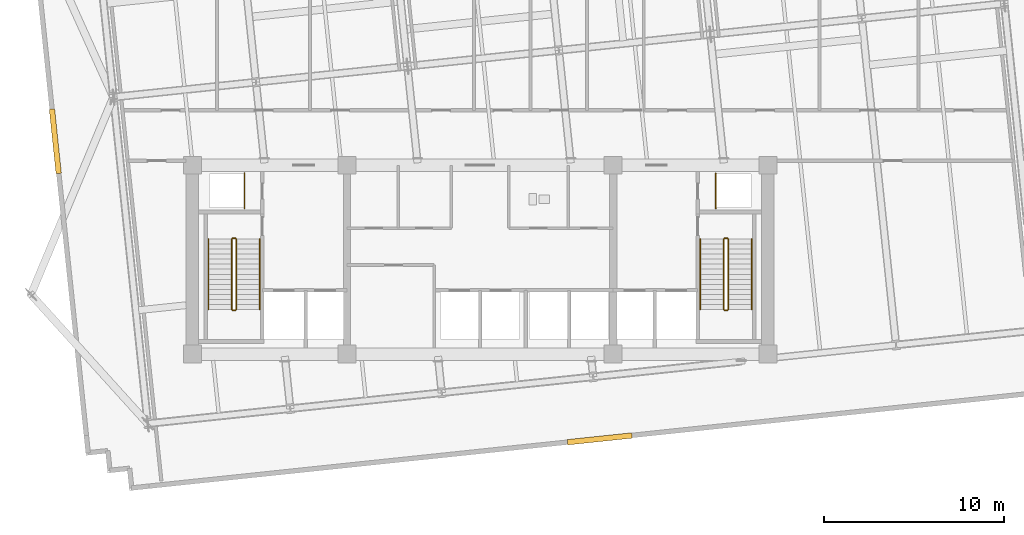
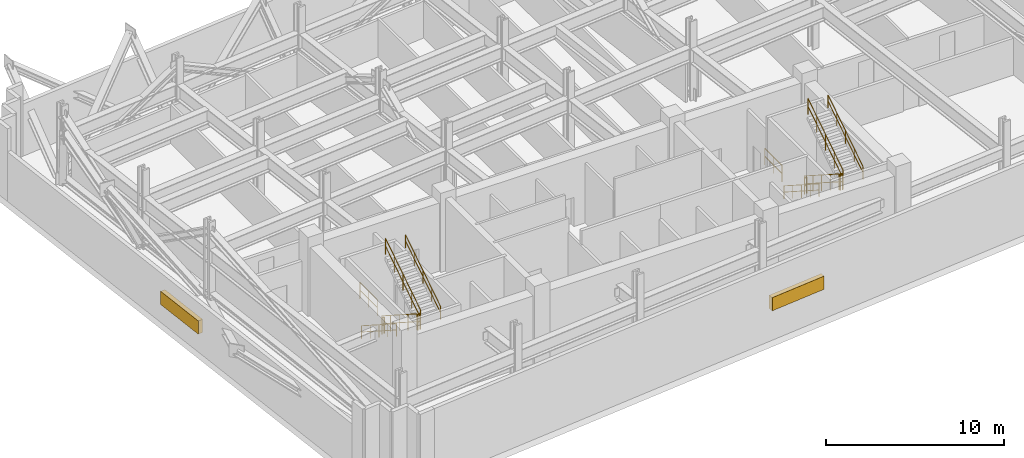
# One storey, part 9 of 11: 14 railings, 2 shading devices.
"""IFC4 building model written with IfcOpenShell, lengths in metres."""

from ifc_helpers import new_model, si_unit, direction, frame, origin, origin_2d, place, context, subcontext, project, spatial, rectangle, circle, extrude, material, layer, layer_set, type_object, element, save


model = new_model("IFC4")

# Units and contexts
model_context = context("Model", 3, precision=1e-05, world=origin(), true_north=direction((0.0, 1.0)))
body_context = subcontext(model_context, "Body", "Model", "MODEL_VIEW")
ifc_project = project(units=[si_unit("LENGTHUNIT", "METRE"), si_unit("AREAUNIT", "SQUARE_METRE"), si_unit("VOLUMEUNIT", "CUBIC_METRE"), si_unit("PLANEANGLEUNIT", "RADIAN"), si_unit("MASSUNIT", "GRAM", prefix="KILO")], contexts=[model_context])

# Site, building, storey
site_placement = place(None, origin())
site = spatial("IfcSite", under=ifc_project, at=site_placement, CompositionType="ELEMENT")
building_placement = place(site_placement, origin())
building = spatial("IfcBuilding", under=site, at=building_placement, Name="Solmavex Isthmus Hotel", CompositionType="ELEMENT")
storey_placement = place(building_placement, frame((0.0, 0.0, 130.5)))
storey = spatial("IfcBuildingStorey", under=building, at=storey_placement, Name="L35", CompositionType="ELEMENT", Elevation=130.5)

# Railings
ifc_material_1 = material(Name="Clear low-E laminated glass", Category="glass")
ifc_layer_1 = layer(ifc_material_1, 0.080078125)
ifc_layer_set_1 = layer_set([ifc_layer_1], Name="Clear low-E laminated glass")
railing_type_1 = type_object("IfcRailingType", Name="RAIL-ATRIUM-1120", PredefinedType="BALUSTRADE", material=ifc_layer_set_1)
for number, where, name in (
    (1, (-13.10009765625, -4.89990234375, 0.0), "Guardrail Balustrade L35-RSW-01"),
    (2, (13.10009765625, -4.89990234375, 0.0), "Guardrail Balustrade L35-RSE-01"),
):
    element("IfcRailing", number, at=place(storey_placement, frame(where)), inside=storey, type_object=railing_type_1, Name=name, PredefinedType="BALUSTRADE", context=body_context, shape_type="SweptSolid", body=[
        extrude(circle(Radius=0.02392578125, at=origin_2d()), frame((0.0, 0.0, 1.1259765625), z_axis=(0.0, 1.0, 0.0), x_axis=(-1.0, 0.0, 0.0)), (0.0, 0.0, 1.0), 1.949951171875),
        extrude(circle(Radius=0.02392578125, at=origin_2d()), frame((0.0, 0.0, 0.574951171875), z_axis=(0.0, 1.0, 0.0), x_axis=(-1.0, 0.0, 0.0)), (0.0, 0.0, 1.0), 1.949951171875),
        extrude(circle(Radius=0.02099609375, at=origin_2d()), origin(), (0.0, 0.0, 1.0), 1.101806640625),
        extrude(circle(Radius=0.02099609375, at=origin_2d()), frame((0.0, 0.97509765625, 0.0)), (0.0, 0.0, 1.0), 1.101806640625),
        extrude(circle(Radius=0.02099609375, at=origin_2d()), frame((0.0, 1.949951171875, 0.0)), (0.0, 0.0, 1.0), 1.101806640625),
    ])
ifc_material_2 = material(Name="Stainless steel 316", Category="steel")
ifc_layer_2 = layer(ifc_material_2, 0.06005859375)
ifc_layer_set_2 = layer_set([ifc_layer_2], Name="Stainless steel 316")
railing_type_2 = type_object("IfcRailingType", Name="RAIL-STAIR-GD", PredefinedType="GUARDRAIL", material=ifc_layer_set_2)
railing_1_placement = place(storey_placement, frame((-13.800048828125, -6.60009765625, 0.179931640625)))
element("IfcRailing", 3, at=railing_1_placement, inside=storey, type_object=railing_type_2, Name="L35 ST-1 stair guard 1", PredefinedType="GUARDRAIL", context=body_context, shape_type="SweptSolid", body=[
    extrude(circle(Radius=0.02392578125, at=origin_2d()), frame((0.0, 0.0, 1.09619140625), z_axis=(0.0, -0.841171666519, 0.540768182723), x_axis=(1.0, 0.0, 0.0)), (0.0, 0.0, 1.0), 4.66015625),
    extrude(circle(Radius=0.02392578125, at=origin_2d()), frame((0.0, 0.0, 0.56005859375), z_axis=(0.0, -0.841171666519, 0.540768182723), x_axis=(1.0, 0.0, 0.0)), (0.0, 0.0, 1.0), 4.66015625),
    extrude(circle(Radius=0.02099609375, at=origin_2d()), origin(), (0.0, 0.0, 1.0), 1.072021484375),
    extrude(circle(Radius=0.02099609375, at=origin_2d()), frame((0.0, -0.97998046875, 0.6298828125)), (0.0, 0.0, 1.0), 1.072021484375),
    extrude(circle(Radius=0.02099609375, at=origin_2d()), frame((0.0, -1.9599609375, 1.260009765625)), (0.0, 0.0, 1.0), 1.072021484375),
    extrude(circle(Radius=0.02099609375, at=origin_2d()), frame((0.0, -2.93994140625, 1.89013671875)), (0.0, 0.0, 1.0), 1.072021484375),
    extrude(circle(Radius=0.02099609375, at=origin_2d()), frame((0.0, -3.919921875, 2.52001953125)), (0.0, 0.0, 1.0), 1.072021484375),
])
railing_2_placement = place(storey_placement, frame((-13.75, -10.570068359375, 2.699951171875)))
element("IfcRailing", 4, at=railing_2_placement, inside=storey, type_object=railing_type_2, Name="L35 ST-1 stair guard 2", PredefinedType="GUARDRAIL", context=body_context, shape_type="SweptSolid", body=[
    extrude(circle(Radius=0.02392578125, at=origin_2d()), frame((0.0, 0.0, 1.09619140625), z_axis=(1.0, 0.0, 0.0), x_axis=(0.0, 1.0, 0.0)), (0.0, 0.0, 1.0), 0.14990234375),
    extrude(circle(Radius=0.02392578125, at=origin_2d()), frame((0.0, 0.0, 0.56005859375), z_axis=(1.0, 0.0, 0.0), x_axis=(0.0, 1.0, 0.0)), (0.0, 0.0, 1.0), 0.14990234375),
    extrude(circle(Radius=0.02099609375, at=origin_2d()), origin(), (0.0, 0.0, 1.0), 1.072021484375),
    extrude(circle(Radius=0.02099609375, at=origin_2d()), frame((0.14990234375, 0.0, 0.0)), (0.0, 0.0, 1.0), 1.072021484375),
])
railing_3_placement = place(storey_placement, frame((-13.550048828125, -10.52001953125, 2.8798828125)))
element("IfcRailing", 5, at=railing_3_placement, inside=storey, type_object=railing_type_2, Name="L35 ST-1 stair guard 3", PredefinedType="GUARDRAIL", context=body_context, shape_type="SweptSolid", body=[
    extrude(circle(Radius=0.02392578125, at=origin_2d()), frame((0.0, 0.0, 1.09619140625), z_axis=(0.0, 0.841171666519, 0.540768182723), x_axis=(-1.0, 0.0, 0.0)), (0.0, 0.0, 1.0), 4.66015625),
    extrude(circle(Radius=0.02392578125, at=origin_2d()), frame((0.0, 0.0, 0.56005859375), z_axis=(0.0, 0.841171666519, 0.540768182723), x_axis=(-1.0, 0.0, 0.0)), (0.0, 0.0, 1.0), 4.66015625),
    extrude(circle(Radius=0.02099609375, at=origin_2d()), origin(), (0.0, 0.0, 1.0), 1.072021484375),
    extrude(circle(Radius=0.02099609375, at=origin_2d()), frame((0.0, 0.97998046875, 0.6298828125)), (0.0, 0.0, 1.0), 1.072021484375),
    extrude(circle(Radius=0.02099609375, at=origin_2d()), frame((0.0, 1.9599609375, 1.260009765625)), (0.0, 0.0, 1.0), 1.072021484375),
    extrude(circle(Radius=0.02099609375, at=origin_2d()), frame((0.0, 2.93994140625, 1.89013671875)), (0.0, 0.0, 1.0), 1.072021484375),
    extrude(circle(Radius=0.02099609375, at=origin_2d()), frame((0.0, 3.919921875, 2.52001953125)), (0.0, 0.0, 1.0), 1.072021484375),
])
railing_4_placement = place(storey_placement, frame((-13.75, -6.550048828125, 0.0)))
element("IfcRailing", 6, at=railing_4_placement, inside=storey, type_object=railing_type_2, Name="L35 ST-1 stair guard 4", PredefinedType="GUARDRAIL", context=body_context, shape_type="SweptSolid", body=[
    extrude(circle(Radius=0.02392578125, at=origin_2d()), frame((0.0, 0.0, 1.09619140625), z_axis=(1.0, 0.0, 0.0), x_axis=(0.0, 1.0, 0.0)), (0.0, 0.0, 1.0), 0.14990234375),
    extrude(circle(Radius=0.02392578125, at=origin_2d()), frame((0.0, 0.0, 0.56005859375), z_axis=(1.0, 0.0, 0.0), x_axis=(0.0, 1.0, 0.0)), (0.0, 0.0, 1.0), 0.14990234375),
    extrude(circle(Radius=0.02099609375, at=origin_2d()), origin(), (0.0, 0.0, 1.0), 1.072021484375),
    extrude(circle(Radius=0.02099609375, at=origin_2d()), frame((0.14990234375, 0.0, 0.0)), (0.0, 0.0, 1.0), 1.072021484375),
])
railing_5_placement = place(storey_placement, frame((13.550048828125, -6.60009765625, 0.179931640625)))
element("IfcRailing", 7, at=railing_5_placement, inside=storey, type_object=railing_type_2, Name="L35 ST-2 stair guard 1", PredefinedType="GUARDRAIL", context=body_context, shape_type="SweptSolid", body=[
    extrude(circle(Radius=0.02392578125, at=origin_2d()), frame((0.0, 0.0, 1.09619140625), z_axis=(0.0, -0.841171666519, 0.540768182723), x_axis=(1.0, 0.0, 0.0)), (0.0, 0.0, 1.0), 4.66015625),
    extrude(circle(Radius=0.02392578125, at=origin_2d()), frame((0.0, 0.0, 0.56005859375), z_axis=(0.0, -0.841171666519, 0.540768182723), x_axis=(1.0, 0.0, 0.0)), (0.0, 0.0, 1.0), 4.66015625),
    extrude(circle(Radius=0.02099609375, at=origin_2d()), origin(), (0.0, 0.0, 1.0), 1.072021484375),
    extrude(circle(Radius=0.02099609375, at=origin_2d()), frame((0.0, -0.97998046875, 0.6298828125)), (0.0, 0.0, 1.0), 1.072021484375),
    extrude(circle(Radius=0.02099609375, at=origin_2d()), frame((0.0, -1.9599609375, 1.260009765625)), (0.0, 0.0, 1.0), 1.072021484375),
    extrude(circle(Radius=0.02099609375, at=origin_2d()), frame((0.0, -2.93994140625, 1.89013671875)), (0.0, 0.0, 1.0), 1.072021484375),
    extrude(circle(Radius=0.02099609375, at=origin_2d()), frame((0.0, -3.919921875, 2.52001953125)), (0.0, 0.0, 1.0), 1.072021484375),
])
railing_6_placement = place(storey_placement, frame((13.60009765625, -10.570068359375, 2.699951171875)))
element("IfcRailing", 8, at=railing_6_placement, inside=storey, type_object=railing_type_2, Name="L35 ST-2 stair guard 2", PredefinedType="GUARDRAIL", context=body_context, shape_type="SweptSolid", body=[
    extrude(circle(Radius=0.02392578125, at=origin_2d()), frame((0.0, 0.0, 1.09619140625), z_axis=(1.0, 0.0, 0.0), x_axis=(0.0, 1.0, 0.0)), (0.0, 0.0, 1.0), 0.14990234375),
    extrude(circle(Radius=0.02392578125, at=origin_2d()), frame((0.0, 0.0, 0.56005859375), z_axis=(1.0, 0.0, 0.0), x_axis=(0.0, 1.0, 0.0)), (0.0, 0.0, 1.0), 0.14990234375),
    extrude(circle(Radius=0.02099609375, at=origin_2d()), origin(), (0.0, 0.0, 1.0), 1.072021484375),
    extrude(circle(Radius=0.02099609375, at=origin_2d()), frame((0.14990234375, 0.0, 0.0)), (0.0, 0.0, 1.0), 1.072021484375),
])
railing_7_placement = place(storey_placement, frame((13.800048828125, -10.52001953125, 2.8798828125)))
element("IfcRailing", 9, at=railing_7_placement, inside=storey, type_object=railing_type_2, Name="L35 ST-2 stair guard 3", PredefinedType="GUARDRAIL", context=body_context, shape_type="SweptSolid", body=[
    extrude(circle(Radius=0.02392578125, at=origin_2d()), frame((0.0, 0.0, 1.09619140625), z_axis=(0.0, 0.841171666519, 0.540768182723), x_axis=(-1.0, 0.0, 0.0)), (0.0, 0.0, 1.0), 4.66015625),
    extrude(circle(Radius=0.02392578125, at=origin_2d()), frame((0.0, 0.0, 0.56005859375), z_axis=(0.0, 0.841171666519, 0.540768182723), x_axis=(-1.0, 0.0, 0.0)), (0.0, 0.0, 1.0), 4.66015625),
    extrude(circle(Radius=0.02099609375, at=origin_2d()), origin(), (0.0, 0.0, 1.0), 1.072021484375),
    extrude(circle(Radius=0.02099609375, at=origin_2d()), frame((0.0, 0.97998046875, 0.6298828125)), (0.0, 0.0, 1.0), 1.072021484375),
    extrude(circle(Radius=0.02099609375, at=origin_2d()), frame((0.0, 1.9599609375, 1.260009765625)), (0.0, 0.0, 1.0), 1.072021484375),
    extrude(circle(Radius=0.02099609375, at=origin_2d()), frame((0.0, 2.93994140625, 1.89013671875)), (0.0, 0.0, 1.0), 1.072021484375),
    extrude(circle(Radius=0.02099609375, at=origin_2d()), frame((0.0, 3.919921875, 2.52001953125)), (0.0, 0.0, 1.0), 1.072021484375),
])
railing_8_placement = place(storey_placement, frame((13.60009765625, -6.550048828125, 0.0)))
element("IfcRailing", 10, at=railing_8_placement, inside=storey, type_object=railing_type_2, Name="L35 ST-2 stair guard 4", PredefinedType="GUARDRAIL", context=body_context, shape_type="SweptSolid", body=[
    extrude(circle(Radius=0.02392578125, at=origin_2d()), frame((0.0, 0.0, 1.09619140625), z_axis=(1.0, 0.0, 0.0), x_axis=(0.0, 1.0, 0.0)), (0.0, 0.0, 1.0), 0.14990234375),
    extrude(circle(Radius=0.02392578125, at=origin_2d()), frame((0.0, 0.0, 0.56005859375), z_axis=(1.0, 0.0, 0.0), x_axis=(0.0, 1.0, 0.0)), (0.0, 0.0, 1.0), 0.14990234375),
    extrude(circle(Radius=0.02099609375, at=origin_2d()), origin(), (0.0, 0.0, 1.0), 1.072021484375),
    extrude(circle(Radius=0.02099609375, at=origin_2d()), frame((0.14990234375, 0.0, 0.0)), (0.0, 0.0, 1.0), 1.072021484375),
])
ifc_layer_3 = layer(ifc_material_2, 0.050048828125)
ifc_layer_set_3 = layer_set([ifc_layer_3], Name="Stainless steel 316")
railing_type_3 = type_object("IfcRailingType", Name="RAIL-STAIR-HR", PredefinedType="HANDRAIL", material=ifc_layer_set_3)
railing_9_placement = place(storey_placement, frame((-15.10009765625, -6.60009765625, 0.179931640625)))
element("IfcRailing", 11, at=railing_9_placement, inside=storey, type_object=railing_type_3, Name="L35 ST-1 stair handrail 1", PredefinedType="HANDRAIL", context=body_context, shape_type="SweptSolid", body=[
    extrude(circle(Radius=0.02392578125, at=origin_2d()), frame((0.0, 0.0, 0.8759765625), z_axis=(0.0, -0.841171666519, 0.540768182723), x_axis=(1.0, 0.0, 0.0)), (0.0, 0.0, 1.0), 4.66015625),
    extrude(circle(Radius=0.02392578125, at=origin_2d()), frame((0.0, 0.0, 0.449951171875), z_axis=(0.0, -0.841171666519, 0.540768182723), x_axis=(1.0, 0.0, 0.0)), (0.0, 0.0, 1.0), 4.66015625),
    extrude(circle(Radius=0.02099609375, at=origin_2d()), origin(), (0.0, 0.0, 1.0), 0.851806640625),
    extrude(circle(Radius=0.02099609375, at=origin_2d()), frame((0.0, -0.97998046875, 0.6298828125)), (0.0, 0.0, 1.0), 0.851806640625),
    extrude(circle(Radius=0.02099609375, at=origin_2d()), frame((0.0, -1.9599609375, 1.260009765625)), (0.0, 0.0, 1.0), 0.851806640625),
    extrude(circle(Radius=0.02099609375, at=origin_2d()), frame((0.0, -2.93994140625, 1.89013671875)), (0.0, 0.0, 1.0), 0.851806640625),
    extrude(circle(Radius=0.02099609375, at=origin_2d()), frame((0.0, -3.919921875, 2.52001953125)), (0.0, 0.0, 1.0), 0.851806640625),
])
railing_10_placement = place(storey_placement, frame((-12.25, -10.52001953125, 2.8798828125)))
element("IfcRailing", 12, at=railing_10_placement, inside=storey, type_object=railing_type_3, Name="L35 ST-1 stair handrail 2", PredefinedType="HANDRAIL", context=body_context, shape_type="SweptSolid", body=[
    extrude(circle(Radius=0.02392578125, at=origin_2d()), frame((0.0, 0.0, 0.8759765625), z_axis=(0.0, 0.841171666519, 0.540768182723), x_axis=(-1.0, 0.0, 0.0)), (0.0, 0.0, 1.0), 4.66015625),
    extrude(circle(Radius=0.02392578125, at=origin_2d()), frame((0.0, 0.0, 0.449951171875), z_axis=(0.0, 0.841171666519, 0.540768182723), x_axis=(-1.0, 0.0, 0.0)), (0.0, 0.0, 1.0), 4.66015625),
    extrude(circle(Radius=0.02099609375, at=origin_2d()), origin(), (0.0, 0.0, 1.0), 0.851806640625),
    extrude(circle(Radius=0.02099609375, at=origin_2d()), frame((0.0, 0.97998046875, 0.6298828125)), (0.0, 0.0, 1.0), 0.851806640625),
    extrude(circle(Radius=0.02099609375, at=origin_2d()), frame((0.0, 1.9599609375, 1.260009765625)), (0.0, 0.0, 1.0), 0.851806640625),
    extrude(circle(Radius=0.02099609375, at=origin_2d()), frame((0.0, 2.93994140625, 1.89013671875)), (0.0, 0.0, 1.0), 0.851806640625),
    extrude(circle(Radius=0.02099609375, at=origin_2d()), frame((0.0, 3.919921875, 2.52001953125)), (0.0, 0.0, 1.0), 0.851806640625),
])
railing_11_placement = place(storey_placement, frame((12.25, -6.60009765625, 0.179931640625)))
element("IfcRailing", 13, at=railing_11_placement, inside=storey, type_object=railing_type_3, Name="L35 ST-2 stair handrail 1", PredefinedType="HANDRAIL", context=body_context, shape_type="SweptSolid", body=[
    extrude(circle(Radius=0.02392578125, at=origin_2d()), frame((0.0, 0.0, 0.8759765625), z_axis=(0.0, -0.841171666519, 0.540768182723), x_axis=(1.0, 0.0, 0.0)), (0.0, 0.0, 1.0), 4.66015625),
    extrude(circle(Radius=0.02392578125, at=origin_2d()), frame((0.0, 0.0, 0.449951171875), z_axis=(0.0, -0.841171666519, 0.540768182723), x_axis=(1.0, 0.0, 0.0)), (0.0, 0.0, 1.0), 4.66015625),
    extrude(circle(Radius=0.02099609375, at=origin_2d()), origin(), (0.0, 0.0, 1.0), 0.851806640625),
    extrude(circle(Radius=0.02099609375, at=origin_2d()), frame((0.0, -0.97998046875, 0.6298828125)), (0.0, 0.0, 1.0), 0.851806640625),
    extrude(circle(Radius=0.02099609375, at=origin_2d()), frame((0.0, -1.9599609375, 1.260009765625)), (0.0, 0.0, 1.0), 0.851806640625),
    extrude(circle(Radius=0.02099609375, at=origin_2d()), frame((0.0, -2.93994140625, 1.89013671875)), (0.0, 0.0, 1.0), 0.851806640625),
    extrude(circle(Radius=0.02099609375, at=origin_2d()), frame((0.0, -3.919921875, 2.52001953125)), (0.0, 0.0, 1.0), 0.851806640625),
])
railing_12_placement = place(storey_placement, frame((15.10009765625, -10.52001953125, 2.8798828125)))
element("IfcRailing", 14, at=railing_12_placement, inside=storey, type_object=railing_type_3, Name="L35 ST-2 stair handrail 2", PredefinedType="HANDRAIL", context=body_context, shape_type="SweptSolid", body=[
    extrude(circle(Radius=0.02392578125, at=origin_2d()), frame((0.0, 0.0, 0.8759765625), z_axis=(0.0, 0.841171666519, 0.540768182723), x_axis=(-1.0, 0.0, 0.0)), (0.0, 0.0, 1.0), 4.66015625),
    extrude(circle(Radius=0.02392578125, at=origin_2d()), frame((0.0, 0.0, 0.449951171875), z_axis=(0.0, 0.841171666519, 0.540768182723), x_axis=(-1.0, 0.0, 0.0)), (0.0, 0.0, 1.0), 4.66015625),
    extrude(circle(Radius=0.02099609375, at=origin_2d()), origin(), (0.0, 0.0, 1.0), 0.851806640625),
    extrude(circle(Radius=0.02099609375, at=origin_2d()), frame((0.0, 0.97998046875, 0.6298828125)), (0.0, 0.0, 1.0), 0.851806640625),
    extrude(circle(Radius=0.02099609375, at=origin_2d()), frame((0.0, 1.9599609375, 1.260009765625)), (0.0, 0.0, 1.0), 0.851806640625),
    extrude(circle(Radius=0.02099609375, at=origin_2d()), frame((0.0, 2.93994140625, 1.89013671875)), (0.0, 0.0, 1.0), 0.851806640625),
    extrude(circle(Radius=0.02099609375, at=origin_2d()), frame((0.0, 3.919921875, 2.52001953125)), (0.0, 0.0, 1.0), 0.851806640625),
])

# Shading devices
ifc_material_3 = material(Name="Aluminium alloy 6063-T6", Category="aluminium")
shading_device_type = type_object("IfcShadingDeviceType", Name="SHD-LOUVRE-BOX", PredefinedType="JALOUSIE", material=ifc_material_3)
for number, where, z_axis, x_axis, name in (
    (15, (-23.614501953125, -1.16552734375, 1.242431640625), (0.0, 0.0, 1.0), (-0.104528463268, 0.994521895368, 0.0), "Acoustic Intake Louvre Screen L35-07"),
    (16, (6.65087890625, -17.71240234375, 2.025146484375), (0.0, 0.0, 1.0), (-0.994521895368, -0.104528463268, 0.0), "Acoustic Intake Louvre Screen L35-28"),
):
    element("IfcShadingDevice", number, at=place(storey_placement, frame(where, z_axis=z_axis, x_axis=x_axis)), inside=storey, type_object=shading_device_type, Name=name, PredefinedType="JALOUSIE", context=body_context, shape_type="SweptSolid", body=[
        extrude(rectangle(XDim=3.60009765625, YDim=0.300048828125, at=origin_2d()), origin(), (0.0, 0.0, 1.0), 0.89990234375),
    ])

save(model, "model.ifc")
